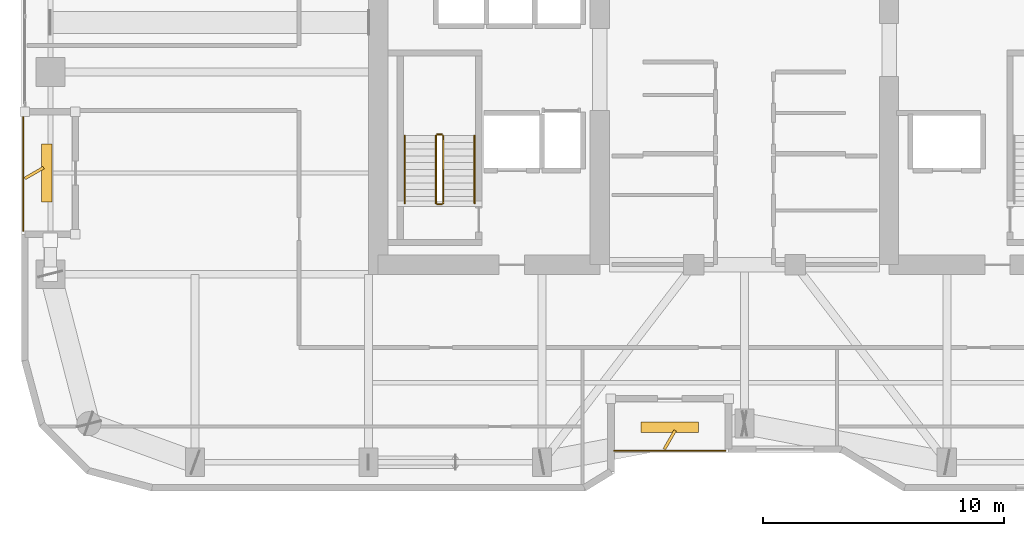
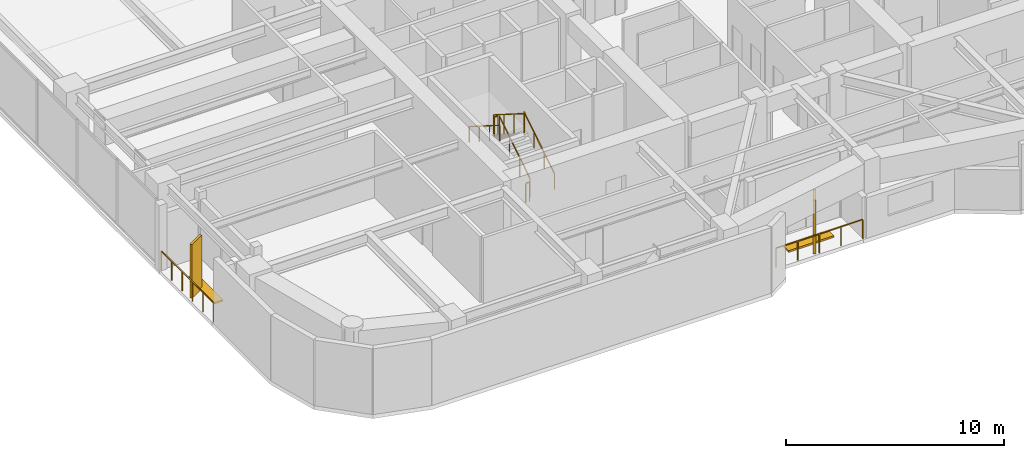
# One storey, part 28 of 30: 8 railings, 4 shading devices.
"""IFC4 building model written with IfcOpenShell, lengths in metres."""

from ifc_helpers import new_model, si_unit, direction, frame, origin, origin_2d, place, context, subcontext, project, spatial, rectangle, extrude, material, type_object, element, save


model = new_model("IFC4")

# Units and contexts
model_context = context("Model", 3, precision=1e-05, world=origin(), true_north=direction((0.0, 1.0)))
body_context = subcontext(model_context, "Body", "Model", "MODEL_VIEW")
ifc_project = project(units=[si_unit("LENGTHUNIT", "METRE"), si_unit("AREAUNIT", "SQUARE_METRE"), si_unit("VOLUMEUNIT", "CUBIC_METRE"), si_unit("PLANEANGLEUNIT", "RADIAN"), si_unit("MASSUNIT", "GRAM", prefix="KILO")], contexts=[model_context])

# Site, building, storey
site_placement = place(None, origin())
site = spatial("IfcSite", under=ifc_project, at=site_placement, CompositionType="ELEMENT")
building_placement = place(site_placement, origin())
building = spatial("IfcBuilding", under=site, at=building_placement, Name="Kiyonajd Concourse Tower", CompositionType="ELEMENT")
storey_placement = place(building_placement, frame((0.0, 0.0, 177.89990234375)))
storey = spatial("IfcBuildingStorey", under=building, at=storey_placement, Name="L45", CompositionType="ELEMENT", Elevation=177.89990234375)

# Railings
ifc_material_1 = material(Name="Thermally Broken Anodised Aluminium", Category="aluminium")
railing_type_1 = type_object("IfcRailingType", Name="RL-GRD-LOG", PredefinedType="GUARDRAIL", material=ifc_material_1)
railing_1_placement = place(storey_placement, frame((42.60009765625, 20.280029296875, 0.0)))
element("IfcRailing", 1, at=railing_1_placement, inside=storey, type_object=railing_type_1, Name="L45 Engawa Loggia Perimeter Guard LOG-S", PredefinedType="GUARDRAIL", context=body_context, shape_type="SweptSolid", body=[
    extrude(rectangle(XDim=0.048095703125, YDim=0.048095703125, at=origin_2d()), frame((0.0, 0.0, 1.076171875), z_axis=(1.0, 0.0, 0.0), x_axis=(0.0, 1.0, 0.0)), (0.0, 0.0, 1.0), 4.599853515625),
    extrude(rectangle(XDim=0.0419921875, YDim=0.0419921875, at=origin_2d()), origin(), (0.0, 0.0, 1.0), 1.052001953125),
    extrude(rectangle(XDim=0.0419921875, YDim=0.0419921875, at=origin_2d()), frame((1.14990234375, 0.0, 0.0)), (0.0, 0.0, 1.0), 1.052001953125),
    extrude(rectangle(XDim=0.0419921875, YDim=0.0419921875, at=origin_2d()), frame((2.2998046875, 0.0, 0.0)), (0.0, 0.0, 1.0), 1.052001953125),
    extrude(rectangle(XDim=0.0419921875, YDim=0.0419921875, at=origin_2d()), frame((3.449951171875, 0.0, 0.0)), (0.0, 0.0, 1.0), 1.052001953125),
    extrude(rectangle(XDim=0.0419921875, YDim=0.0419921875, at=origin_2d()), frame((4.599853515625, 0.0, 0.0)), (0.0, 0.0, 1.0), 1.052001953125),
])
railing_2_placement = place(storey_placement, frame((18.080078125, 34.199951171875, 0.0)))
element("IfcRailing", 2, at=railing_2_placement, inside=storey, type_object=railing_type_1, Name="L45 Engawa Loggia Perimeter Guard LOG-W", PredefinedType="GUARDRAIL", context=body_context, shape_type="SweptSolid", body=[
    extrude(rectangle(XDim=0.048095703125, YDim=0.048095703125, at=origin_2d()), frame((0.0, 0.0, 1.076171875), z_axis=(0.0, -1.0, 0.0), x_axis=(1.0, 0.0, 0.0)), (0.0, 0.0, 1.0), 4.800048828125),
    extrude(rectangle(XDim=0.0419921875, YDim=0.0419921875, at=origin_2d()), origin(), (0.0, 0.0, 1.0), 1.052001953125),
    extrude(rectangle(XDim=0.0419921875, YDim=0.0419921875, at=origin_2d()), frame((0.0, -0.9599609375, 0.0)), (0.0, 0.0, 1.0), 1.052001953125),
    extrude(rectangle(XDim=0.0419921875, YDim=0.0419921875, at=origin_2d()), frame((0.0, -1.919921875, 0.0)), (0.0, 0.0, 1.0), 1.052001953125),
    extrude(rectangle(XDim=0.0419921875, YDim=0.0419921875, at=origin_2d()), frame((0.0, -2.880126953125, 0.0)), (0.0, 0.0, 1.0), 1.052001953125),
    extrude(rectangle(XDim=0.0419921875, YDim=0.0419921875, at=origin_2d()), frame((0.0, -3.840087890625, 0.0)), (0.0, 0.0, 1.0), 1.052001953125),
    extrude(rectangle(XDim=0.0419921875, YDim=0.0419921875, at=origin_2d()), frame((0.0, -4.800048828125, 0.0)), (0.0, 0.0, 1.0), 1.052001953125),
])
ifc_material_2 = material(Name="Steel ASTM A500 Grade C", Category="steel")
railing_type_2 = type_object("IfcRailingType", Name="RL-GRD-STR", PredefinedType="GUARDRAIL", material=ifc_material_2)
railing_3_placement = place(storey_placement, frame((35.5, 30.550048828125, 0.177490234375)))
element("IfcRailing", 3, at=railing_3_placement, inside=storey, type_object=railing_type_2, Name="L45 ST1 stair guard 1", PredefinedType="GUARDRAIL", context=body_context, shape_type="SweptSolid", body=[
    extrude(rectangle(XDim=0.048095703125, YDim=0.048095703125, at=origin_2d()), frame((0.0, 0.0, 1.076171875), z_axis=(0.0, 0.844908973607, 0.534910110503), x_axis=(-1.0, 0.0, 0.0)), (0.0, 0.0, 1.0), 3.31396484375),
    extrude(rectangle(XDim=0.0419921875, YDim=0.0419921875, at=origin_2d()), origin(), (0.0, 0.0, 1.0), 1.052001953125),
    extrude(rectangle(XDim=0.0419921875, YDim=0.0419921875, at=origin_2d()), frame((0.0, 0.933349609375, 0.5908203125)), (0.0, 0.0, 1.0), 1.052001953125),
    extrude(rectangle(XDim=0.0419921875, YDim=0.0419921875, at=origin_2d()), frame((0.0, 1.86669921875, 1.181884765625)), (0.0, 0.0, 1.0), 1.052001953125),
    extrude(rectangle(XDim=0.0419921875, YDim=0.0419921875, at=origin_2d()), frame((0.0, 2.800048828125, 1.772705078125)), (0.0, 0.0, 1.0), 1.052001953125),
])
railing_4_placement = place(storey_placement, frame((35.449951171875, 33.39990234375, 1.9501953125)))
element("IfcRailing", 4, at=railing_4_placement, inside=storey, type_object=railing_type_2, Name="L45 ST1 stair guard 2", PredefinedType="GUARDRAIL", context=body_context, shape_type="SweptSolid", body=[
    extrude(rectangle(XDim=0.048095703125, YDim=0.048095703125, at=origin_2d()), frame((0.0, 0.0, 1.076171875), z_axis=(-1.0, 0.0, 0.0), x_axis=(0.0, -1.0, 0.0)), (0.0, 0.0, 1.0), 0.199951171875),
    extrude(rectangle(XDim=0.0419921875, YDim=0.0419921875, at=origin_2d()), origin(), (0.0, 0.0, 1.0), 1.052001953125),
    extrude(rectangle(XDim=0.0419921875, YDim=0.0419921875, at=origin_2d()), frame((-0.199951171875, 0.0, 0.0)), (0.0, 0.0, 1.0), 1.052001953125),
])
railing_5_placement = place(storey_placement, frame((35.199951171875, 33.35009765625, 2.12744140625)))
element("IfcRailing", 5, at=railing_5_placement, inside=storey, type_object=railing_type_2, Name="L45 ST1 stair guard 3", PredefinedType="GUARDRAIL", context=body_context, shape_type="SweptSolid", body=[
    extrude(rectangle(XDim=0.048095703125, YDim=0.048095703125, at=origin_2d()), frame((0.0, 0.0, 1.076171875), z_axis=(0.0, -0.844908973607, 0.534910110503), x_axis=(1.0, 0.0, 0.0)), (0.0, 0.0, 1.0), 3.31396484375),
    extrude(rectangle(XDim=0.0419921875, YDim=0.0419921875, at=origin_2d()), origin(), (0.0, 0.0, 1.0), 1.052001953125),
    extrude(rectangle(XDim=0.0419921875, YDim=0.0419921875, at=origin_2d()), frame((0.0, -0.933349609375, 0.5908203125)), (0.0, 0.0, 1.0), 1.052001953125),
    extrude(rectangle(XDim=0.0419921875, YDim=0.0419921875, at=origin_2d()), frame((0.0, -1.86669921875, 1.181884765625)), (0.0, 0.0, 1.0), 1.052001953125),
    extrude(rectangle(XDim=0.0419921875, YDim=0.0419921875, at=origin_2d()), frame((0.0, -2.800048828125, 1.772705078125)), (0.0, 0.0, 1.0), 1.052001953125),
])
railing_6_placement = place(storey_placement, frame((35.449951171875, 30.5, 0.0)))
element("IfcRailing", 6, at=railing_6_placement, inside=storey, type_object=railing_type_2, Name="L45 ST1 stair guard 4", PredefinedType="GUARDRAIL", context=body_context, shape_type="SweptSolid", body=[
    extrude(rectangle(XDim=0.048095703125, YDim=0.048095703125, at=origin_2d()), frame((0.0, 0.0, 1.076171875), z_axis=(-1.0, 0.0, 0.0), x_axis=(0.0, -1.0, 0.0)), (0.0, 0.0, 1.0), 0.199951171875),
    extrude(rectangle(XDim=0.0419921875, YDim=0.0419921875, at=origin_2d()), origin(), (0.0, 0.0, 1.0), 1.052001953125),
    extrude(rectangle(XDim=0.0419921875, YDim=0.0419921875, at=origin_2d()), frame((-0.199951171875, 0.0, 0.0)), (0.0, 0.0, 1.0), 1.052001953125),
])
ifc_material_3 = material(Name="Brushed Stainless Steel Cab Assembly", Category="steel")
railing_type_3 = type_object("IfcRailingType", Name="RL-HND-900", PredefinedType="HANDRAIL", material=ifc_material_3)
railing_7_placement = place(storey_placement, frame((36.800048828125, 30.550048828125, 0.177490234375)))
element("IfcRailing", 7, at=railing_7_placement, inside=storey, type_object=railing_type_3, Name="L45 ST1 stair handrail 1", PredefinedType="HANDRAIL", context=body_context, shape_type="SweptSolid", body=[
    extrude(rectangle(XDim=0.048095703125, YDim=0.048095703125, at=origin_2d()), frame((0.0, 0.0, 0.8759765625), z_axis=(0.0, 0.844908973607, 0.534910110503), x_axis=(-1.0, 0.0, 0.0)), (0.0, 0.0, 1.0), 3.31396484375),
    extrude(rectangle(XDim=0.0419921875, YDim=0.0419921875, at=origin_2d()), origin(), (0.0, 0.0, 1.0), 0.851806640625),
    extrude(rectangle(XDim=0.0419921875, YDim=0.0419921875, at=origin_2d()), frame((0.0, 0.933349609375, 0.5908203125)), (0.0, 0.0, 1.0), 0.851806640625),
    extrude(rectangle(XDim=0.0419921875, YDim=0.0419921875, at=origin_2d()), frame((0.0, 1.86669921875, 1.181884765625)), (0.0, 0.0, 1.0), 0.851806640625),
    extrude(rectangle(XDim=0.0419921875, YDim=0.0419921875, at=origin_2d()), frame((0.0, 2.800048828125, 1.772705078125)), (0.0, 0.0, 1.0), 0.851806640625),
])
railing_8_placement = place(storey_placement, frame((33.89990234375, 33.35009765625, 2.12744140625)))
element("IfcRailing", 8, at=railing_8_placement, inside=storey, type_object=railing_type_3, Name="L45 ST1 stair handrail 2", PredefinedType="HANDRAIL", context=body_context, shape_type="SweptSolid", body=[
    extrude(rectangle(XDim=0.048095703125, YDim=0.048095703125, at=origin_2d()), frame((0.0, 0.0, 0.8759765625), z_axis=(0.0, -0.844908973607, 0.534910110503), x_axis=(1.0, 0.0, 0.0)), (0.0, 0.0, 1.0), 3.31396484375),
    extrude(rectangle(XDim=0.0419921875, YDim=0.0419921875, at=origin_2d()), origin(), (0.0, 0.0, 1.0), 0.851806640625),
    extrude(rectangle(XDim=0.0419921875, YDim=0.0419921875, at=origin_2d()), frame((0.0, -0.933349609375, 0.5908203125)), (0.0, 0.0, 1.0), 0.851806640625),
    extrude(rectangle(XDim=0.0419921875, YDim=0.0419921875, at=origin_2d()), frame((0.0, -1.86669921875, 1.181884765625)), (0.0, 0.0, 1.0), 0.851806640625),
    extrude(rectangle(XDim=0.0419921875, YDim=0.0419921875, at=origin_2d()), frame((0.0, -2.800048828125, 1.772705078125)), (0.0, 0.0, 1.0), 0.851806640625),
])

# Shading devices
ifc_material_4 = material(Name="Precast concrete C50/60", Category="concrete")
shading_device_type_1 = type_object("IfcShadingDeviceType", Name="SH-FIN-900", PredefinedType="USERDEFINED", material=ifc_material_4)
for number, where, z_axis, x_axis, name in (
    (9, (44.89990234375, 20.72998046875, 0.0), (0.0, 0.0, 1.0), (0.5, 0.866025403784, 0.0), "L45 Angled Koshi Solar Fin LOG-S"),
    (10, (18.530029296875, 31.800048828125, 0.0), (0.0, 0.0, 1.0), (0.866025403784, 0.5, 0.0), "L45 Angled Koshi Solar Fin LOG-W"),
):
    element("IfcShadingDevice", number, at=place(storey_placement, frame(where, z_axis=z_axis, x_axis=x_axis)), inside=storey, type_object=shading_device_type_1, Name=name, ObjectType="FIN", PredefinedType="USERDEFINED", context=body_context, shape_type="SweptSolid", body=[
        extrude(rectangle(XDim=0.89990234375, YDim=0.1201171875, at=origin_2d()), origin(), (0.0, 0.0, 1.0), 3.0),
    ])
shading_device_type_2 = type_object("IfcShadingDeviceType", Name="SH-LVR-600", PredefinedType="JALOUSIE", material=ifc_material_1)
for number, where, z_axis, x_axis, name in (
    (11, (44.89990234375, 21.25, 0.0), (0.0, 0.0, 1.0), (1.0, 0.0, 0.0), "L45 Loggia Threshold Louver LOG-S"),
    (12, (19.050048828125, 31.800048828125, 0.0), (0.0, 0.0, 1.0), (0.0, 1.0, 0.0), "L45 Loggia Threshold Louver LOG-W"),
):
    element("IfcShadingDevice", number, at=place(storey_placement, frame(where, z_axis=z_axis, x_axis=x_axis)), inside=storey, type_object=shading_device_type_2, Name=name, PredefinedType="JALOUSIE", context=body_context, shape_type="SweptSolid", body=[
        extrude(rectangle(XDim=2.39990234375, YDim=0.449951171875, at=origin_2d()), origin(), (0.0, 0.0, 1.0), 0.10009765625),
    ])

save(model, "model.ifc")
